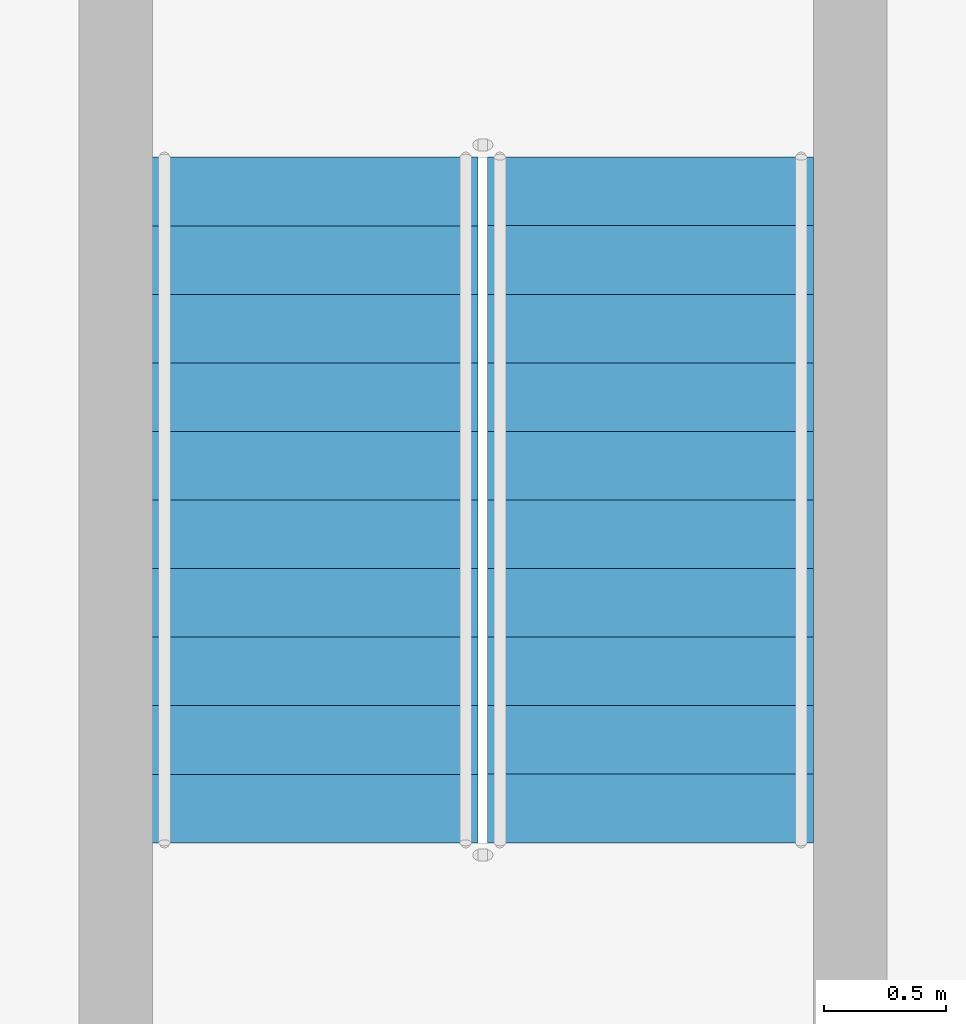
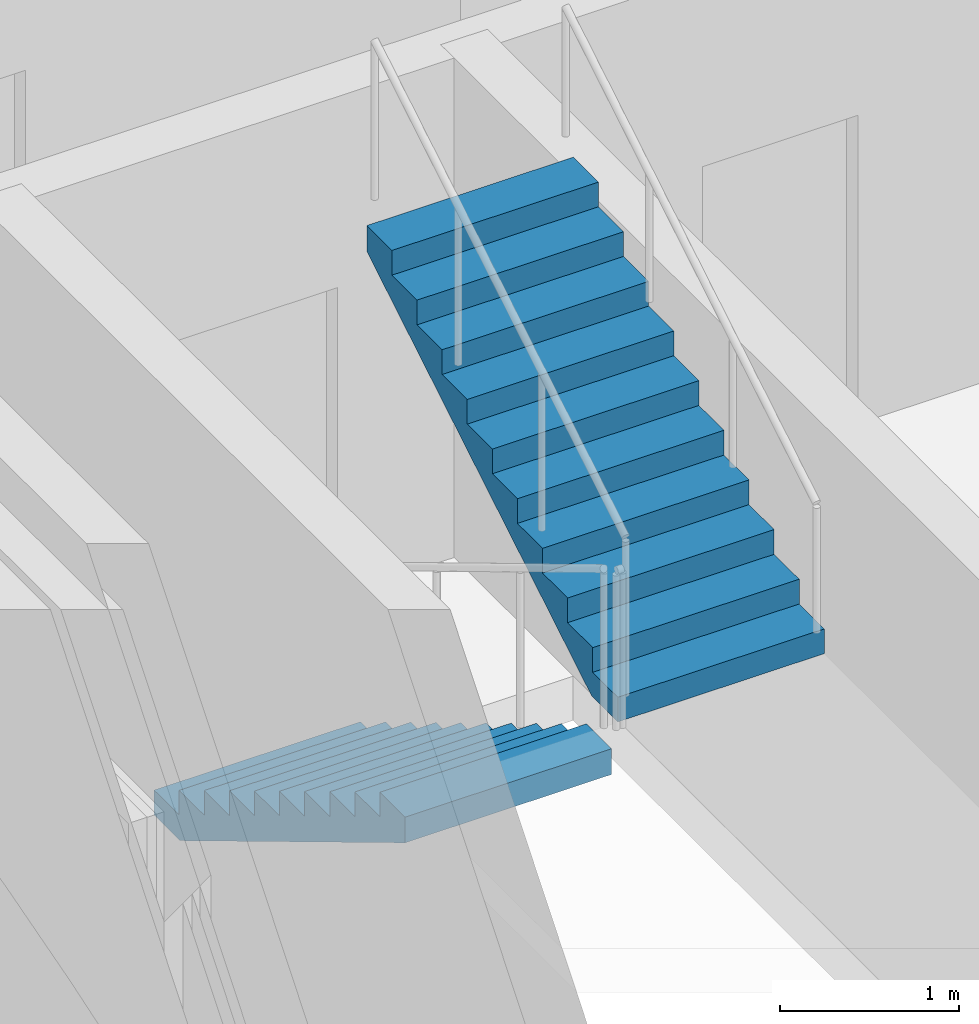
# One storey, part 15 of 26: 2 stair flights, 1 element without a shape of its own.
"""IFC4 building model written with IfcOpenShell, lengths in metres."""

from ifc_helpers import new_model, si_unit, direction, frame, origin, place, context, subcontext, project, spatial, triangles, source, transform, mapped, material, type_object, element, aggregate, save


model = new_model("IFC4")

# Units and contexts
model_context = context("Model", 3, precision=1e-05, world=origin(), true_north=direction((0.0, 1.0)))
body_context = subcontext(model_context, "Body", "Model", "MODEL_VIEW")
ifc_project = project(units=[si_unit("LENGTHUNIT", "METRE"), si_unit("AREAUNIT", "SQUARE_METRE"), si_unit("VOLUMEUNIT", "CUBIC_METRE"), si_unit("PLANEANGLEUNIT", "RADIAN"), si_unit("MASSUNIT", "GRAM", prefix="KILO")], contexts=[model_context])

# Site, building, storey
site_placement = place(None, origin())
site = spatial("IfcSite", under=ifc_project, at=site_placement, CompositionType="ELEMENT")
building_placement = place(site_placement, origin())
building = spatial("IfcBuilding", under=site, at=building_placement, Name="Ogive Portal Towers", CompositionType="ELEMENT")
storey_placement = place(building_placement, frame((0.0, 0.0, 171.800048828125)))
storey = spatial("IfcBuildingStorey", under=building, at=storey_placement, Name="L42", CompositionType="ELEMENT", Elevation=171.800048828125)

# Stair, stair flights
ifc_material = material(Name="Concrete C40/50", Category="concrete")
stair_type = type_object("IfcStairType", Name="INT-STAIR", PredefinedType="HALF_TURN_STAIR", material=ifc_material)
stair_placement = place(storey_placement, origin())
stair = element("IfcStair", 1, at=stair_placement, inside=storey, type_object=stair_type, Name="L42 Exit Stair ST-A4", PredefinedType="HALF_TURN_STAIR")
stair_flight_type = type_object("IfcStairFlightType", Name="INT-FLIGHT", PredefinedType="STRAIGHT", material=ifc_material)
shared_shape = source(origin(), body_context, "Body", "Tessellation", [
    triangles([(0.0, -0.6650390625, 0.0), (0.0, -0.384765625, 0.0), (0.0, -0.197021484375, 0.0), (0.0, -0.0830078125, 0.0), (0.0, -0.024658203125, 0.0), (0.0, -0.003173828125, 0.0), (0.0, 0.0, 0.0), (0.0, 0.003173828125, 0.0), (0.0, 0.024658203125, 0.0), (0.0, 0.0830078125, 0.0), (0.0, 0.197021484375, 0.0), (0.0, 0.384765625, 0.0), (0.0, 0.6650390625, 0.0), (0.0, -0.6650390625, 0.168212890625), (0.0, -0.384765625, 0.168212890625), (0.0, -0.197021484375, 0.168212890625), (0.0, -0.0830078125, 0.168212890625), (0.0, -0.024658203125, 0.168212890625), (0.0, -0.003173828125, 0.168212890625), (0.0, 0.0, 0.168212890625), (0.0, 0.003173828125, 0.168212890625), (0.0, 0.024658203125, 0.168212890625), (0.0, 0.0830078125, 0.168212890625), (0.0, 0.197021484375, 0.168212890625), (0.0, 0.384765625, 0.168212890625), (0.0, 0.6650390625, 0.168212890625), (0.280029296875, -0.6650390625, 0.168212890625), (0.280029296875, -0.384765625, 0.168212890625), (0.280029296875, -0.197021484375, 0.168212890625), (0.280029296875, -0.0830078125, 0.168212890625), (0.280029296875, -0.024658203125, 0.168212890625), (0.280029296875, -0.003173828125, 0.168212890625), (0.280029296875, 0.0, 0.168212890625), (0.280029296875, 0.003173828125, 0.168212890625), (0.280029296875, 0.024658203125, 0.168212890625), (0.280029296875, 0.0830078125, 0.168212890625), (0.280029296875, 0.197021484375, 0.168212890625), (0.280029296875, 0.384765625, 0.168212890625), (0.280029296875, 0.6650390625, 0.168212890625), (0.280029296875, -0.6650390625, 0.33642578125), (0.280029296875, -0.384765625, 0.33642578125), (0.280029296875, -0.197021484375, 0.33642578125), (0.280029296875, -0.0830078125, 0.33642578125), (0.280029296875, -0.024658203125, 0.33642578125), (0.280029296875, -0.003173828125, 0.33642578125), (0.280029296875, 0.0, 0.33642578125), (0.280029296875, 0.003173828125, 0.33642578125), (0.280029296875, 0.024658203125, 0.33642578125), (0.280029296875, 0.0830078125, 0.33642578125), (0.280029296875, 0.197021484375, 0.33642578125), (0.280029296875, 0.384765625, 0.33642578125), (0.280029296875, 0.6650390625, 0.33642578125), (0.56005859375, -0.6650390625, 0.33642578125), (0.56005859375, -0.384765625, 0.33642578125), (0.56005859375, -0.197021484375, 0.33642578125), (0.56005859375, -0.0830078125, 0.33642578125), (0.56005859375, -0.024658203125, 0.33642578125), (0.56005859375, -0.003173828125, 0.33642578125), (0.56005859375, 0.0, 0.33642578125), (0.56005859375, 0.003173828125, 0.33642578125), (0.56005859375, 0.024658203125, 0.33642578125), (0.56005859375, 0.0830078125, 0.33642578125), (0.56005859375, 0.197021484375, 0.33642578125), (0.56005859375, 0.384765625, 0.33642578125), (0.56005859375, 0.6650390625, 0.33642578125), (0.56005859375, -0.6650390625, 0.504638671875), (0.56005859375, -0.384765625, 0.504638671875), (0.56005859375, -0.197021484375, 0.504638671875), (0.56005859375, -0.0830078125, 0.504638671875), (0.56005859375, -0.024658203125, 0.504638671875), (0.56005859375, -0.003173828125, 0.504638671875), (0.56005859375, 0.0, 0.504638671875), (0.56005859375, 0.003173828125, 0.504638671875), (0.56005859375, 0.024658203125, 0.504638671875), (0.56005859375, 0.0830078125, 0.504638671875), (0.56005859375, 0.197021484375, 0.504638671875), (0.56005859375, 0.384765625, 0.504638671875), (0.56005859375, 0.6650390625, 0.504638671875), (0.840087890625, -0.6650390625, 0.504638671875), (0.840087890625, -0.384765625, 0.504638671875), (0.840087890625, -0.197021484375, 0.504638671875), (0.840087890625, -0.0830078125, 0.504638671875), (0.840087890625, -0.024658203125, 0.504638671875), (0.840087890625, -0.003173828125, 0.504638671875), (0.840087890625, 0.0, 0.504638671875), (0.840087890625, 0.003173828125, 0.504638671875), (0.840087890625, 0.024658203125, 0.504638671875), (0.840087890625, 0.0830078125, 0.504638671875), (0.840087890625, 0.197021484375, 0.504638671875), (0.840087890625, 0.384765625, 0.504638671875), (0.840087890625, 0.6650390625, 0.504638671875), (0.840087890625, -0.6650390625, 0.672607421875), (0.840087890625, -0.384765625, 0.672607421875), (0.840087890625, -0.197021484375, 0.672607421875), (0.840087890625, -0.0830078125, 0.672607421875), (0.840087890625, -0.024658203125, 0.672607421875), (0.840087890625, -0.003173828125, 0.672607421875), (0.840087890625, 0.0, 0.672607421875), (0.840087890625, 0.003173828125, 0.672607421875), (0.840087890625, 0.024658203125, 0.672607421875), (0.840087890625, 0.0830078125, 0.672607421875), (0.840087890625, 0.197021484375, 0.672607421875), (0.840087890625, 0.384765625, 0.672607421875), (0.840087890625, 0.6650390625, 0.672607421875), (1.1201171875, -0.6650390625, 0.672607421875), (1.1201171875, -0.384765625, 0.672607421875), (1.1201171875, -0.197021484375, 0.672607421875), (1.1201171875, -0.0830078125, 0.672607421875), (1.1201171875, -0.024658203125, 0.672607421875), (1.1201171875, -0.003173828125, 0.672607421875), (1.1201171875, 0.0, 0.672607421875), (1.1201171875, 0.003173828125, 0.672607421875), (1.1201171875, 0.024658203125, 0.672607421875), (1.1201171875, 0.0830078125, 0.672607421875), (1.1201171875, 0.197021484375, 0.672607421875), (1.1201171875, 0.384765625, 0.672607421875), (1.1201171875, 0.6650390625, 0.672607421875), (1.1201171875, -0.6650390625, 0.8408203125), (1.1201171875, -0.384765625, 0.8408203125), (1.1201171875, -0.197021484375, 0.8408203125), (1.1201171875, -0.0830078125, 0.8408203125), (1.1201171875, -0.024658203125, 0.8408203125), (1.1201171875, -0.003173828125, 0.8408203125), (1.1201171875, 0.0, 0.8408203125), (1.1201171875, 0.003173828125, 0.8408203125), (1.1201171875, 0.024658203125, 0.8408203125), (1.1201171875, 0.0830078125, 0.8408203125), (1.1201171875, 0.197021484375, 0.8408203125), (1.1201171875, 0.384765625, 0.8408203125), (1.1201171875, 0.6650390625, 0.8408203125), (1.39990234375, -0.6650390625, 0.8408203125), (1.39990234375, -0.384765625, 0.8408203125), (1.39990234375, -0.197021484375, 0.8408203125), (1.39990234375, -0.0830078125, 0.8408203125), (1.39990234375, -0.024658203125, 0.8408203125), (1.39990234375, -0.003173828125, 0.8408203125), (1.39990234375, 0.0, 0.8408203125), (1.39990234375, 0.003173828125, 0.8408203125), (1.39990234375, 0.024658203125, 0.8408203125), (1.39990234375, 0.0830078125, 0.8408203125), (1.39990234375, 0.197021484375, 0.8408203125), (1.39990234375, 0.384765625, 0.8408203125), (1.39990234375, 0.6650390625, 0.8408203125), (1.39990234375, -0.6650390625, 1.009033203125), (1.39990234375, -0.384765625, 1.009033203125), (1.39990234375, -0.197021484375, 1.009033203125), (1.39990234375, -0.0830078125, 1.009033203125), (1.39990234375, -0.024658203125, 1.009033203125), (1.39990234375, -0.003173828125, 1.009033203125), (1.39990234375, 0.0, 1.009033203125), (1.39990234375, 0.003173828125, 1.009033203125), (1.39990234375, 0.024658203125, 1.009033203125), (1.39990234375, 0.0830078125, 1.009033203125), (1.39990234375, 0.197021484375, 1.009033203125), (1.39990234375, 0.384765625, 1.009033203125), (1.39990234375, 0.6650390625, 1.009033203125), (1.679931640625, -0.6650390625, 1.009033203125), (1.679931640625, -0.384765625, 1.009033203125), (1.679931640625, -0.197021484375, 1.009033203125), (1.679931640625, -0.0830078125, 1.009033203125), (1.679931640625, -0.024658203125, 1.009033203125), (1.679931640625, -0.003173828125, 1.009033203125), (1.679931640625, 0.0, 1.009033203125), (1.679931640625, 0.003173828125, 1.009033203125), (1.679931640625, 0.024658203125, 1.009033203125), (1.679931640625, 0.0830078125, 1.009033203125), (1.679931640625, 0.197021484375, 1.009033203125), (1.679931640625, 0.384765625, 1.009033203125), (1.679931640625, 0.6650390625, 1.009033203125), (1.679931640625, -0.6650390625, 1.17724609375), (1.679931640625, -0.384765625, 1.17724609375), (1.679931640625, -0.197021484375, 1.17724609375), (1.679931640625, -0.0830078125, 1.17724609375), (1.679931640625, -0.024658203125, 1.17724609375), (1.679931640625, -0.003173828125, 1.17724609375), (1.679931640625, 0.0, 1.17724609375), (1.679931640625, 0.003173828125, 1.17724609375), (1.679931640625, 0.024658203125, 1.17724609375), (1.679931640625, 0.0830078125, 1.17724609375), (1.679931640625, 0.197021484375, 1.17724609375), (1.679931640625, 0.384765625, 1.17724609375), (1.679931640625, 0.6650390625, 1.17724609375), (1.9599609375, -0.6650390625, 1.17724609375), (1.9599609375, -0.384765625, 1.17724609375), (1.9599609375, -0.197021484375, 1.17724609375), (1.9599609375, -0.0830078125, 1.17724609375), (1.9599609375, -0.024658203125, 1.17724609375), (1.9599609375, -0.003173828125, 1.17724609375), (1.9599609375, 0.0, 1.17724609375), (1.9599609375, 0.003173828125, 1.17724609375), (1.9599609375, 0.024658203125, 1.17724609375), (1.9599609375, 0.0830078125, 1.17724609375), (1.9599609375, 0.197021484375, 1.17724609375), (1.9599609375, 0.384765625, 1.17724609375), (1.9599609375, 0.6650390625, 1.17724609375), (1.9599609375, -0.6650390625, 1.345458984375), (1.9599609375, -0.384765625, 1.345458984375), (1.9599609375, -0.197021484375, 1.345458984375), (1.9599609375, -0.0830078125, 1.345458984375), (1.9599609375, -0.024658203125, 1.345458984375), (1.9599609375, -0.003173828125, 1.345458984375), (1.9599609375, 0.0, 1.345458984375), (1.9599609375, 0.003173828125, 1.345458984375), (1.9599609375, 0.024658203125, 1.345458984375), (1.9599609375, 0.0830078125, 1.345458984375), (1.9599609375, 0.197021484375, 1.345458984375), (1.9599609375, 0.384765625, 1.345458984375), (1.9599609375, 0.6650390625, 1.345458984375), (2.239990234375, -0.6650390625, 1.345458984375), (2.239990234375, -0.384765625, 1.345458984375), (2.239990234375, -0.197021484375, 1.345458984375), (2.239990234375, -0.0830078125, 1.345458984375), (2.239990234375, -0.024658203125, 1.345458984375), (2.239990234375, -0.003173828125, 1.345458984375), (2.239990234375, 0.0, 1.345458984375), (2.239990234375, 0.003173828125, 1.345458984375), (2.239990234375, 0.024658203125, 1.345458984375), (2.239990234375, 0.0830078125, 1.345458984375), (2.239990234375, 0.197021484375, 1.345458984375), (2.239990234375, 0.384765625, 1.345458984375), (2.239990234375, 0.6650390625, 1.345458984375), (2.239990234375, -0.6650390625, 1.513671875), (2.239990234375, -0.384765625, 1.513671875), (2.239990234375, -0.197021484375, 1.513671875), (2.239990234375, -0.0830078125, 1.513671875), (2.239990234375, -0.024658203125, 1.513671875), (2.239990234375, -0.003173828125, 1.513671875), (2.239990234375, 0.0, 1.513671875), (2.239990234375, 0.003173828125, 1.513671875), (2.239990234375, 0.024658203125, 1.513671875), (2.239990234375, 0.0830078125, 1.513671875), (2.239990234375, 0.197021484375, 1.513671875), (2.239990234375, 0.384765625, 1.513671875), (2.239990234375, 0.6650390625, 1.513671875), (2.52001953125, -0.6650390625, 1.513671875), (2.52001953125, -0.384765625, 1.513671875), (2.52001953125, -0.197021484375, 1.513671875), (2.52001953125, -0.0830078125, 1.513671875), (2.52001953125, -0.024658203125, 1.513671875), (2.52001953125, -0.003173828125, 1.513671875), (2.52001953125, 0.0, 1.513671875), (2.52001953125, 0.003173828125, 1.513671875), (2.52001953125, 0.024658203125, 1.513671875), (2.52001953125, 0.0830078125, 1.513671875), (2.52001953125, 0.197021484375, 1.513671875), (2.52001953125, 0.384765625, 1.513671875), (2.52001953125, 0.6650390625, 1.513671875), (2.52001953125, -0.6650390625, 1.681884765625), (2.52001953125, -0.384765625, 1.681884765625), (2.52001953125, -0.197021484375, 1.681884765625), (2.52001953125, -0.0830078125, 1.681884765625), (2.52001953125, -0.024658203125, 1.681884765625), (2.52001953125, -0.003173828125, 1.681884765625), (2.52001953125, 0.0, 1.681884765625), (2.52001953125, 0.003173828125, 1.681884765625), (2.52001953125, 0.024658203125, 1.681884765625), (2.52001953125, 0.0830078125, 1.681884765625), (2.52001953125, 0.197021484375, 1.681884765625), (2.52001953125, 0.384765625, 1.681884765625), (2.52001953125, 0.6650390625, 1.681884765625), (2.800048828125, -0.6650390625, 1.681884765625), (2.800048828125, -0.384765625, 1.681884765625), (2.800048828125, -0.197021484375, 1.681884765625), (2.800048828125, -0.0830078125, 1.681884765625), (2.800048828125, -0.024658203125, 1.681884765625), (2.800048828125, -0.003173828125, 1.681884765625), (2.800048828125, 0.0, 1.681884765625), (2.800048828125, 0.003173828125, 1.681884765625), (2.800048828125, 0.024658203125, 1.681884765625), (2.800048828125, 0.0830078125, 1.681884765625), (2.800048828125, 0.197021484375, 1.681884765625), (2.800048828125, 0.384765625, 1.681884765625), (2.800048828125, 0.6650390625, 1.681884765625), (2.800048828125, -0.6650390625, 1.5068359375), (2.800048828125, -0.384765625, 1.5068359375), (2.800048828125, -0.197021484375, 1.5068359375), (2.800048828125, -0.0830078125, 1.5068359375), (2.800048828125, -0.024658203125, 1.5068359375), (2.800048828125, -0.003173828125, 1.5068359375), (2.800048828125, 0.0, 1.5068359375), (2.800048828125, 0.003173828125, 1.5068359375), (2.800048828125, 0.024658203125, 1.5068359375), (2.800048828125, 0.0830078125, 1.5068359375), (2.800048828125, 0.197021484375, 1.5068359375), (2.800048828125, 0.384765625, 1.5068359375), (2.800048828125, 0.6650390625, 1.5068359375), (0.291015625, -0.6650390625, 0.0), (0.291015625, -0.384765625, 0.0), (0.291015625, -0.197021484375, 0.0), (0.291015625, -0.0830078125, 0.0), (0.291015625, -0.024658203125, 0.0), (0.291015625, -0.003173828125, 0.0), (0.291015625, 0.0, 0.0), (0.291015625, 0.003173828125, 0.0), (0.291015625, 0.024658203125, 0.0), (0.291015625, 0.0830078125, 0.0), (0.291015625, 0.197021484375, 0.0), (0.291015625, 0.384765625, 0.0), (0.291015625, 0.6650390625, 0.0)], [[1, 14, 15], [1, 15, 2], [2, 15, 16], [2, 16, 3], [3, 16, 17], [3, 17, 4], [4, 17, 18], [4, 18, 5], [5, 18, 19], [5, 19, 6], [6, 19, 20], [6, 20, 7], [7, 20, 21], [7, 21, 8], [8, 21, 22], [8, 22, 9], [9, 22, 23], [9, 23, 10], [10, 23, 24], [10, 24, 11], [11, 24, 25], [11, 25, 12], [12, 25, 26], [12, 26, 13], [14, 27, 28], [14, 28, 15], [15, 28, 29], [15, 29, 16], [16, 29, 30], [16, 30, 17], [17, 30, 31], [17, 31, 18], [18, 31, 32], [18, 32, 19], [19, 32, 33], [19, 33, 20], [20, 33, 34], [20, 34, 21], [21, 34, 35], [21, 35, 22], [22, 35, 36], [22, 36, 23], [23, 36, 37], [23, 37, 24], [24, 37, 38], [24, 38, 25], [25, 38, 39], [25, 39, 26], [27, 40, 41], [27, 41, 28], [28, 41, 42], [28, 42, 29], [29, 42, 43], [29, 43, 30], [30, 43, 44], [30, 44, 31], [31, 44, 45], [31, 45, 32], [32, 45, 46], [32, 46, 33], [33, 46, 47], [33, 47, 34], [34, 47, 48], [34, 48, 35], [35, 48, 49], [35, 49, 36], [36, 49, 50], [36, 50, 37], [37, 50, 51], [37, 51, 38], [38, 51, 52], [38, 52, 39], [40, 53, 54], [40, 54, 41], [41, 54, 55], [41, 55, 42], [42, 55, 56], [42, 56, 43], [43, 56, 57], [43, 57, 44], [44, 57, 58], [44, 58, 45], [45, 58, 59], [45, 59, 46], [46, 59, 60], [46, 60, 47], [47, 60, 61], [47, 61, 48], [48, 61, 62], [48, 62, 49], [49, 62, 63], [49, 63, 50], [50, 63, 64], [50, 64, 51], [51, 64, 65], [51, 65, 52], [53, 66, 67], [53, 67, 54], [54, 67, 68], [54, 68, 55], [55, 68, 69], [55, 69, 56], [56, 69, 70], [56, 70, 57], [57, 70, 71], [57, 71, 58], [58, 71, 72], [58, 72, 59], [59, 72, 73], [59, 73, 60], [60, 73, 74], [60, 74, 61], [61, 74, 75], [61, 75, 62], [62, 75, 76], [62, 76, 63], [63, 76, 77], [63, 77, 64], [64, 77, 78], [64, 78, 65], [66, 79, 80], [66, 80, 67], [67, 80, 81], [67, 81, 68], [68, 81, 82], [68, 82, 69], [69, 82, 83], [69, 83, 70], [70, 83, 84], [70, 84, 71], [71, 84, 85], [71, 85, 72], [72, 85, 86], [72, 86, 73], [73, 86, 87], [73, 87, 74], [74, 87, 88], [74, 88, 75], [75, 88, 89], [75, 89, 76], [76, 89, 90], [76, 90, 77], [77, 90, 91], [77, 91, 78], [79, 92, 93], [79, 93, 80], [80, 93, 94], [80, 94, 81], [81, 94, 95], [81, 95, 82], [82, 95, 96], [82, 96, 83], [83, 96, 97], [83, 97, 84], [84, 97, 98], [84, 98, 85], [85, 98, 99], [85, 99, 86], [86, 99, 100], [86, 100, 87], [87, 100, 101], [87, 101, 88], [88, 101, 102], [88, 102, 89], [89, 102, 103], [89, 103, 90], [90, 103, 104], [90, 104, 91], [92, 105, 106], [92, 106, 93], [93, 106, 107], [93, 107, 94], [94, 107, 108], [94, 108, 95], [95, 108, 109], [95, 109, 96], [96, 109, 110], [96, 110, 97], [97, 110, 111], [97, 111, 98], [98, 111, 112], [98, 112, 99], [99, 112, 113], [99, 113, 100], [100, 113, 114], [100, 114, 101], [101, 114, 115], [101, 115, 102], [102, 115, 116], [102, 116, 103], [103, 116, 117], [103, 117, 104], [105, 118, 119], [105, 119, 106], [106, 119, 120], [106, 120, 107], [107, 120, 121], [107, 121, 108], [108, 121, 122], [108, 122, 109], [109, 122, 123], [109, 123, 110], [110, 123, 124], [110, 124, 111], [111, 124, 125], [111, 125, 112], [112, 125, 126], [112, 126, 113], [113, 126, 127], [113, 127, 114], [114, 127, 128], [114, 128, 115], [115, 128, 129], [115, 129, 116], [116, 129, 130], [116, 130, 117], [118, 131, 132], [118, 132, 119], [119, 132, 133], [119, 133, 120], [120, 133, 134], [120, 134, 121], [121, 134, 135], [121, 135, 122], [122, 135, 136], [122, 136, 123], [123, 136, 137], [123, 137, 124], [124, 137, 138], [124, 138, 125], [125, 138, 139], [125, 139, 126], [126, 139, 140], [126, 140, 127], [127, 140, 141], [127, 141, 128], [128, 141, 142], [128, 142, 129], [129, 142, 143], [129, 143, 130], [131, 144, 145], [131, 145, 132], [132, 145, 146], [132, 146, 133], [133, 146, 147], [133, 147, 134], [134, 147, 148], [134, 148, 135], [135, 148, 149], [135, 149, 136], [136, 149, 150], [136, 150, 137], [137, 150, 151], [137, 151, 138], [138, 151, 152], [138, 152, 139], [139, 152, 153], [139, 153, 140], [140, 153, 154], [140, 154, 141], [141, 154, 155], [141, 155, 142], [142, 155, 156], [142, 156, 143], [144, 157, 158], [144, 158, 145], [145, 158, 159], [145, 159, 146], [146, 159, 160], [146, 160, 147], [147, 160, 161], [147, 161, 148], [148, 161, 162], [148, 162, 149], [149, 162, 163], [149, 163, 150], [150, 163, 164], [150, 164, 151], [151, 164, 165], [151, 165, 152], [152, 165, 166], [152, 166, 153], [153, 166, 167], [153, 167, 154], [154, 167, 168], [154, 168, 155], [155, 168, 169], [155, 169, 156], [157, 170, 171], [157, 171, 158], [158, 171, 172], [158, 172, 159], [159, 172, 173], [159, 173, 160], [160, 173, 174], [160, 174, 161], [161, 174, 175], [161, 175, 162], [162, 175, 176], [162, 176, 163], [163, 176, 177], [163, 177, 164], [164, 177, 178], [164, 178, 165], [165, 178, 179], [165, 179, 166], [166, 179, 180], [166, 180, 167], [167, 180, 181], [167, 181, 168], [168, 181, 182], [168, 182, 169], [170, 183, 184], [170, 184, 171], [171, 184, 185], [171, 185, 172], [172, 185, 186], [172, 186, 173], [173, 186, 187], [173, 187, 174], [174, 187, 188], [174, 188, 175], [175, 188, 189], [175, 189, 176], [176, 189, 190], [176, 190, 177], [177, 190, 191], [177, 191, 178], [178, 191, 192], [178, 192, 179], [179, 192, 193], [179, 193, 180], [180, 193, 194], [180, 194, 181], [181, 194, 195], [181, 195, 182], [183, 196, 197], [183, 197, 184], [184, 197, 198], [184, 198, 185], [185, 198, 199], [185, 199, 186], [186, 199, 200], [186, 200, 187], [187, 200, 201], [187, 201, 188], [188, 201, 202], [188, 202, 189], [189, 202, 203], [189, 203, 190], [190, 203, 204], [190, 204, 191], [191, 204, 205], [191, 205, 192], [192, 205, 206], [192, 206, 193], [193, 206, 207], [193, 207, 194], [194, 207, 208], [194, 208, 195], [196, 209, 210], [196, 210, 197], [197, 210, 211], [197, 211, 198], [198, 211, 212], [198, 212, 199], [199, 212, 213], [199, 213, 200], [200, 213, 214], [200, 214, 201], [201, 214, 215], [201, 215, 202], [202, 215, 216], [202, 216, 203], [203, 216, 217], [203, 217, 204], [204, 217, 218], [204, 218, 205], [205, 218, 219], [205, 219, 206], [206, 219, 220], [206, 220, 207], [207, 220, 221], [207, 221, 208], [209, 222, 223], [209, 223, 210], [210, 223, 224], [210, 224, 211], [211, 224, 225], [211, 225, 212], [212, 225, 226], [212, 226, 213], [213, 226, 227], [213, 227, 214], [214, 227, 228], [214, 228, 215], [215, 228, 229], [215, 229, 216], [216, 229, 230], [216, 230, 217], [217, 230, 231], [217, 231, 218], [218, 231, 232], [218, 232, 219], [219, 232, 233], [219, 233, 220], [220, 233, 234], [220, 234, 221], [222, 235, 236], [222, 236, 223], [223, 236, 237], [223, 237, 224], [224, 237, 238], [224, 238, 225], [225, 238, 239], [225, 239, 226], [226, 239, 240], [226, 240, 227], [227, 240, 241], [227, 241, 228], [228, 241, 242], [228, 242, 229], [229, 242, 243], [229, 243, 230], [230, 243, 244], [230, 244, 231], [231, 244, 245], [231, 245, 232], [232, 245, 246], [232, 246, 233], [233, 246, 247], [233, 247, 234], [235, 248, 249], [235, 249, 236], [236, 249, 250], [236, 250, 237], [237, 250, 251], [237, 251, 238], [238, 251, 252], [238, 252, 239], [239, 252, 253], [239, 253, 240], [240, 253, 254], [240, 254, 241], [241, 254, 255], [241, 255, 242], [242, 255, 256], [242, 256, 243], [243, 256, 257], [243, 257, 244], [244, 257, 258], [244, 258, 245], [245, 258, 259], [245, 259, 246], [246, 259, 260], [246, 260, 247], [248, 261, 262], [248, 262, 249], [249, 262, 263], [249, 263, 250], [250, 263, 264], [250, 264, 251], [251, 264, 265], [251, 265, 252], [252, 265, 266], [252, 266, 253], [253, 266, 267], [253, 267, 254], [254, 267, 268], [254, 268, 255], [255, 268, 269], [255, 269, 256], [256, 269, 270], [256, 270, 257], [257, 270, 271], [257, 271, 258], [258, 271, 272], [258, 272, 259], [259, 272, 273], [259, 273, 260], [261, 274, 275], [261, 275, 262], [262, 275, 276], [262, 276, 263], [263, 276, 277], [263, 277, 264], [264, 277, 278], [264, 278, 265], [265, 278, 279], [265, 279, 266], [266, 279, 280], [266, 280, 267], [267, 280, 281], [267, 281, 268], [268, 281, 282], [268, 282, 269], [269, 282, 283], [269, 283, 270], [270, 283, 284], [270, 284, 271], [271, 284, 285], [271, 285, 272], [272, 285, 286], [272, 286, 273], [274, 287, 288], [274, 288, 275], [275, 288, 289], [275, 289, 276], [276, 289, 290], [276, 290, 277], [277, 290, 291], [277, 291, 278], [278, 291, 292], [278, 292, 279], [279, 292, 293], [279, 293, 280], [280, 293, 294], [280, 294, 281], [281, 294, 295], [281, 295, 282], [282, 295, 296], [282, 296, 283], [283, 296, 297], [283, 297, 284], [284, 297, 298], [284, 298, 285], [285, 298, 299], [285, 299, 286], [287, 1, 2], [287, 2, 288], [288, 2, 3], [288, 3, 289], [289, 3, 4], [289, 4, 290], [290, 4, 5], [290, 5, 291], [291, 5, 6], [291, 6, 292], [292, 6, 7], [292, 7, 293], [293, 7, 8], [293, 8, 294], [294, 8, 9], [294, 9, 295], [295, 9, 10], [295, 10, 296], [296, 10, 11], [296, 11, 297], [297, 11, 12], [297, 12, 298], [298, 12, 13], [298, 13, 299], [1, 287, 274], [13, 286, 299], [274, 261, 248], [286, 260, 273], [274, 248, 235], [286, 247, 260], [274, 235, 222], [286, 234, 247], [274, 222, 209], [286, 221, 234], [209, 196, 183], [221, 195, 208], [274, 209, 183], [286, 195, 221], [183, 170, 157], [195, 169, 182], [274, 183, 157], [286, 169, 195], [157, 144, 131], [169, 143, 156], [274, 157, 131], [286, 143, 169], [131, 118, 105], [143, 117, 130], [274, 131, 105], [286, 117, 143], [1, 274, 105], [13, 117, 286], [105, 92, 79], [117, 91, 104], [79, 66, 53], [91, 65, 78], [105, 79, 53], [117, 65, 91], [53, 40, 27], [65, 39, 52], [105, 53, 27], [117, 39, 65], [1, 105, 27], [13, 39, 117], [27, 14, 1], [39, 13, 26]], closed=True),
])
stair_flight_1_placement = place(storey_placement, frame((87.6650390625, 29.169921875, 0.0), z_axis=(0.0, 0.0, 1.0), x_axis=(0.0, -1.0, 0.0)))
stair_flight_1 = element("IfcStairFlight", 2, at=stair_flight_1_placement, type_object=stair_flight_type, Name="ST-A4 flight 1", NumberOfRisers=11, NumberOfTreads=10, PredefinedType="STRAIGHT", RiserHeight=0.168181818, TreadLength=0.28, context=body_context, shape_type="MappedRepresentation", body=[
    mapped(shared_shape, transform((0.0, 0.0, 0.0), scale=1.0)),
])
stair_flight_2_placement = place(storey_placement, frame((89.034912109375, 26.3701171875, 1.849853515625), z_axis=(0.0, 0.0, 1.0), x_axis=(0.0, 1.0, 0.0)))
stair_flight_2 = element("IfcStairFlight", 3, at=stair_flight_2_placement, type_object=stair_flight_type, Name="ST-A4 flight 2", NumberOfRisers=11, NumberOfTreads=10, PredefinedType="STRAIGHT", RiserHeight=0.168181818, TreadLength=0.28, context=body_context, shape_type="MappedRepresentation", body=[
    mapped(shared_shape, transform((0.0, 0.0, 0.0), scale=1.0)),
])
aggregate(stair, [stair_flight_1, stair_flight_2])

save(model, "model.ifc")
